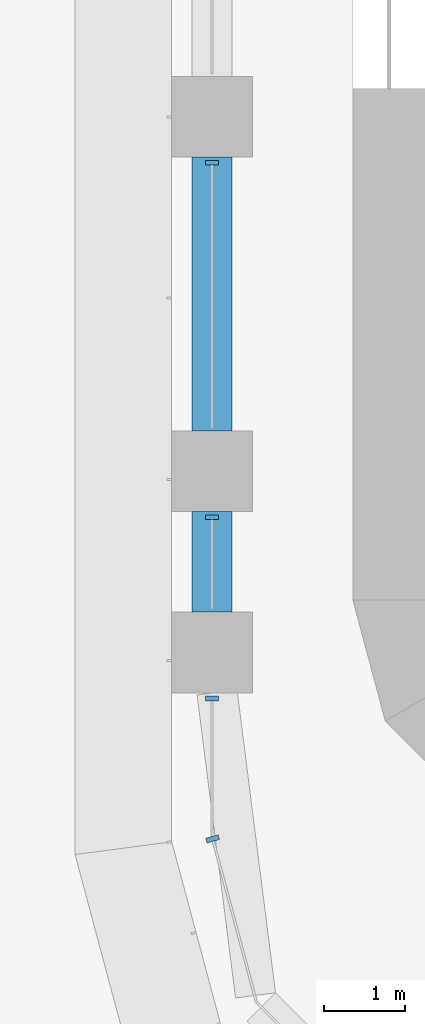
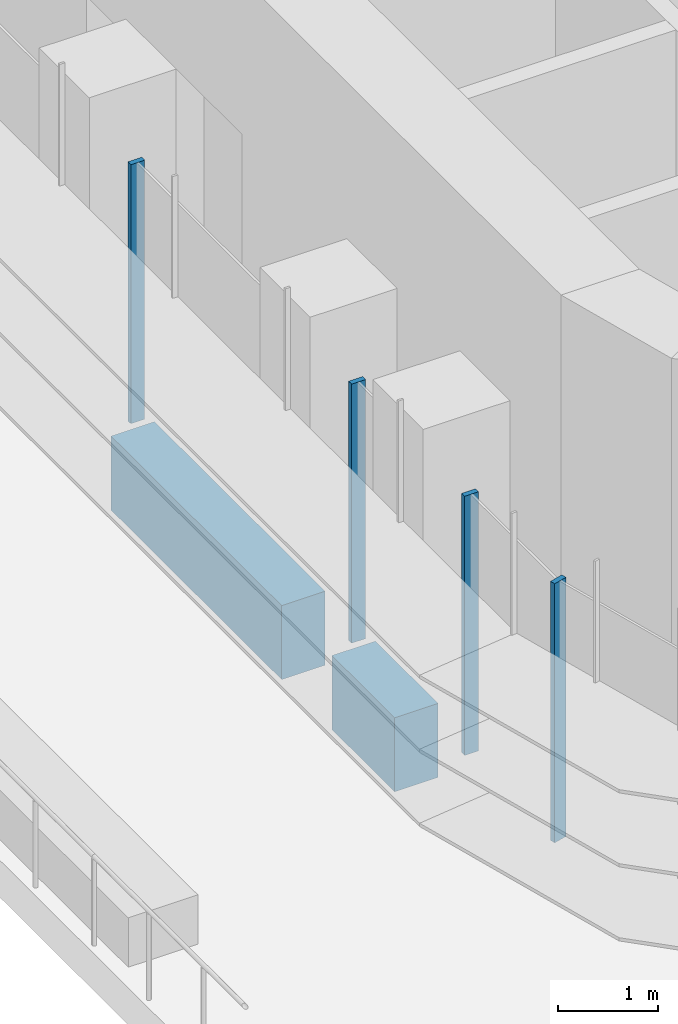
# One storey, part 2 of 26: 4 members, 2 beams, 2 elements without a shape of their own.
"""IFC4 building model written with IfcOpenShell, lengths in metres."""

from ifc_helpers import new_model, si_unit, direction, frame, origin, origin_2d, place, context, subcontext, project, spatial, polyline, rectangle, outline, extrude, source, transform, mapped, material, material_profile, profile_set, type_object, element, aggregate, save


model = new_model("IFC4")

# Units and contexts
model_context = context("Model", 3, precision=1e-05, world=origin(), true_north=direction((0.0, 1.0)))
body_context = subcontext(model_context, "Body", "Model", "MODEL_VIEW")
ifc_project = project(units=[si_unit("LENGTHUNIT", "METRE"), si_unit("AREAUNIT", "SQUARE_METRE"), si_unit("VOLUMEUNIT", "CUBIC_METRE"), si_unit("PLANEANGLEUNIT", "RADIAN"), si_unit("MASSUNIT", "GRAM", prefix="KILO")], contexts=[model_context])

# Site, building, storey
site_placement = place(None, origin())
site = spatial("IfcSite", under=ifc_project, at=site_placement, CompositionType="ELEMENT")
building_placement = place(site_placement, origin())
building = spatial("IfcBuilding", under=site, at=building_placement, Name="Zarbagh Exchange Tower", CompositionType="ELEMENT")
storey_placement = place(building_placement, frame((0.0, 0.0, 27.0)))
storey = spatial("IfcBuildingStorey", under=building, at=storey_placement, Name="L05", CompositionType="ELEMENT", Elevation=27.0)

# Beams
ifc_material_1 = material(Name="Concrete C60/75", Category="concrete")
ifc_material_profile = material_profile(ifc_material_1, rectangle(XDim=0.5, YDim=0.89990234375, at=origin_2d()), Name="RC spandrel beam 500 x 900 C60/75")
ifc_profile_set = profile_set([ifc_material_profile], Name="Concrete C60/75")
beam_type = type_object("IfcBeamType", Name="RC spandrel beam 500 x 900 C60/75", PredefinedType="SPANDREL", material=ifc_profile_set)
beam_1_placement = place(storey_placement, frame((-6.25, -26.39990234375, -0.60009765625), z_axis=(0.0, 1.0, 0.0), x_axis=(-1.0, 0.0, 0.0)))
element("IfcBeam", 1, at=beam_1_placement, inside=storey, type_object=beam_type, Name="RC spandrel beam", PredefinedType="SPANDREL", context=body_context, shape_type="SweptSolid", body=[
    extrude(rectangle(XDim=0.5, YDim=0.89990234375, at=origin_2d()), origin(), (0.0, 0.0, 1.0), 1.25),
])
beam_2_placement = place(storey_placement, frame((-6.25, -24.14990234375, -0.60009765625), z_axis=(0.0, 1.0, 0.0), x_axis=(-1.0, 0.0, 0.0)))
element("IfcBeam", 2, at=beam_2_placement, inside=storey, type_object=beam_type, Name="RC spandrel beam", PredefinedType="SPANDREL", context=body_context, shape_type="SweptSolid", body=[
    extrude(rectangle(XDim=0.5, YDim=0.89990234375, at=origin_2d()), origin(), (0.0, 0.0, 1.0), 3.39990234375),
])

# Curtain wall, members
ifc_material_2 = material(Name="Anodised aluminium frame and glazing", Category="aluminium")
curtain_wall_type = type_object("IfcCurtainWallType", Name="CWA Ribbon glazing, lower zones", PredefinedType="NOTDEFINED", material=ifc_material_2)
curtain_wall_1_placement = place(storey_placement, origin())
curtain_wall_1 = element("IfcCurtainWall", 3, at=curtain_wall_1_placement, inside=storey, type_object=curtain_wall_type, Name="CWA44 curtain wall", PredefinedType="NOTDEFINED")
ifc_material_3 = material(Name="Anodised aluminium frame", Category="aluminium")
member_type = type_object("IfcMemberType", Name="MUA Mullion, anodised aluminium frame", PredefinedType="MULLION", material=ifc_material_3)
shared_shape = source(origin(), body_context, "Body", "SweptSolid", [
    extrude(outline(polyline([(0.0, -0.080078125), (0.06005859375, -0.080078125), (0.06005859375, 0.080078125), (0.0, 0.080078125), (0.0, -0.080078125)])), origin(), (0.0, 0.0, 1.0), 3.14990234375),
])
placement = place(storey_placement, origin())
member_1 = element("IfcMember", 4, at=placement, type_object=member_type, Name="CWA44 mullion 3.1", PredefinedType="MULLION", context=body_context, shape_type="MappedRepresentation", body=[
    mapped(shared_shape, transform((-6.25, -20.7900390625, 0.0), x_axis=(0.0, -1.0, 0.0), y_axis=(1.0, 0.0, 0.0), z_axis=(0.0, 0.0, 1.0))),
])
member_2 = element("IfcMember", 5, at=placement, type_object=member_type, Name="CWA44 mullion 4.1", PredefinedType="MULLION", context=body_context, shape_type="MappedRepresentation", body=[
    mapped(shared_shape, transform((-6.25, -25.18994140625, 0.0), x_axis=(0.0, -1.0, 0.0), y_axis=(1.0, 0.0, 0.0), z_axis=(0.0, 0.0, 1.0))),
])
member_3 = element("IfcMember", 6, at=placement, type_object=member_type, Name="CWA44 mullion 5.1", PredefinedType="MULLION", context=body_context, shape_type="MappedRepresentation", body=[
    mapped(shared_shape, transform((-6.25, -27.43994140625, 0.0), x_axis=(0.0, -1.0, 0.0), y_axis=(1.0, 0.0, 0.0), z_axis=(0.0, 0.0, 1.0))),
])
aggregate(curtain_wall_1, [member_1, member_2, member_3])

# Curtain wall, member
curtain_wall_2_placement = place(storey_placement, origin())
curtain_wall_2 = element("IfcCurtainWall", 7, at=curtain_wall_2_placement, inside=storey, type_object=curtain_wall_type, Name="CWA45 curtain wall", PredefinedType="NOTDEFINED")
member_4 = element("IfcMember", 8, at=placement, type_object=member_type, Name="CWA45 mullion 1.1", PredefinedType="MULLION", context=body_context, shape_type="MappedRepresentation", body=[
    mapped(shared_shape, transform((-6.25, -29.18408203125, 0.0), x_axis=(0.258824779902, -0.965924289636, 0.0), y_axis=(0.965924289636, 0.258824779902, 0.0), z_axis=(0.0, 0.0, 1.0))),
])
aggregate(curtain_wall_2, [member_4])

save(model, "model.ifc")
